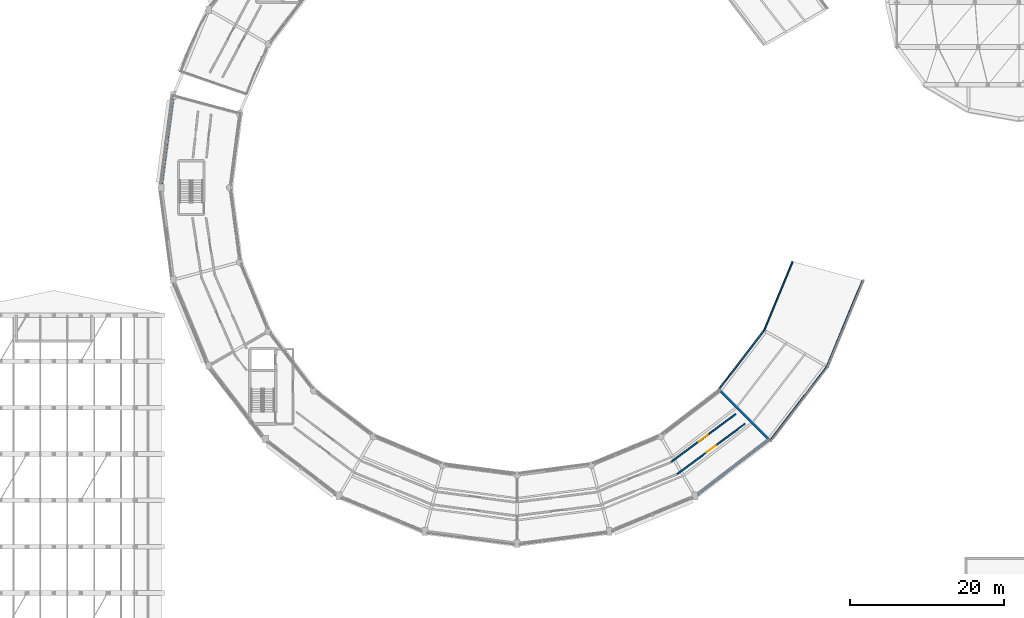
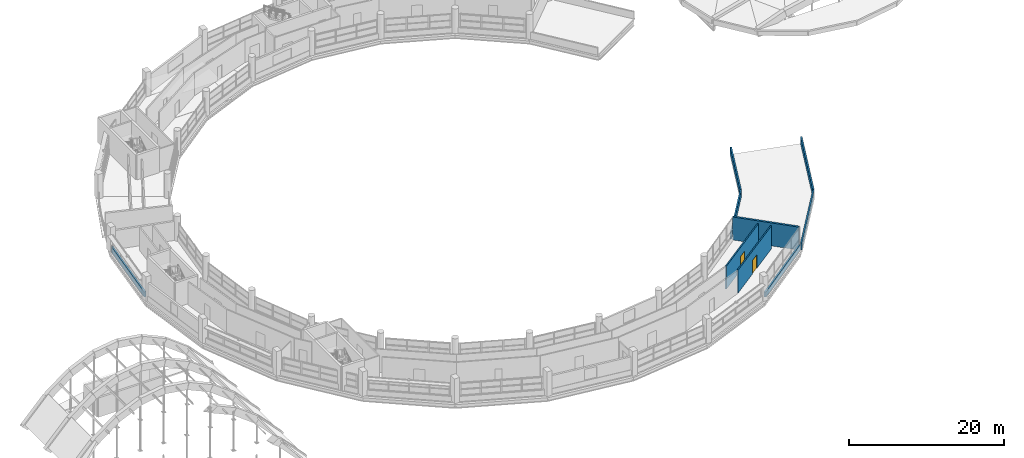
# One storey, part 76 of 88: 9 walls, 2 doors, 2 openings.
"""IFC4 building model written with IfcOpenShell, lengths in metres."""

from ifc_helpers import new_model, si_unit, direction, frame, frame_2d, origin, place, context, subcontext, project, spatial, rectangle, extrude, material, layer, layer_set, type_object, element, fill, save


model = new_model("IFC4")

# Units and contexts
model_context = context("Model", 3, precision=1e-05, world=origin(), true_north=direction((0.0, 1.0)))
body_context = subcontext(model_context, "Body", "Model", "MODEL_VIEW")
ifc_project = project(units=[si_unit("LENGTHUNIT", "METRE"), si_unit("AREAUNIT", "SQUARE_METRE"), si_unit("VOLUMEUNIT", "CUBIC_METRE"), si_unit("PLANEANGLEUNIT", "RADIAN"), si_unit("MASSUNIT", "GRAM", prefix="KILO")], contexts=[model_context])

# Site, building, storey
site_placement = place(None, origin())
site = spatial("IfcSite", under=ifc_project, at=site_placement, CompositionType="ELEMENT")
building_placement = place(site_placement, origin())
building = spatial("IfcBuilding", under=site, at=building_placement, Name="Vespera Passage Community Centre", CompositionType="ELEMENT")
storey_placement = place(building_placement, frame((0.0, 0.0, 16.5)))
storey = spatial("IfcBuildingStorey", under=building, at=storey_placement, Name="L04", CompositionType="ELEMENT", Elevation=16.5)

# Wall, opening, door
ifc_material_1 = material(Name="Gypsum board acoustic stud partition")
ifc_layer_1 = layer(ifc_material_1, 0.179931640625)
ifc_layer_set_1 = layer_set([ifc_layer_1], Name="Gypsum board acoustic stud partition")
wall_type_1 = type_object("IfcWallType", Name="WT-CORR-180I", PredefinedType="PARTITIONING", material=ifc_layer_set_1)
wall_1_placement = place(storey_placement, frame((98.766357421875, 28.4189453125, 0.0), z_axis=(0.0, 0.0, 1.0), x_axis=(0.802562330416, 0.596568274213, 0.0)))
wall_1 = element("IfcWall", 1, at=wall_1_placement, inside=storey, type_object=wall_type_1, Name="L04 Interior Partition V4-L04-CO17.1", PredefinedType="PARTITIONING", context=body_context, shape_type="SweptSolid", body=[
    extrude(rectangle(XDim=10.910888671875, YDim=0.179931640625, at=frame_2d((5.45556640625, 0.0))), origin(), (0.0, 0.0, 1.0), 3.635009765625),
])
opening_1_placement = place(wall_1_placement, frame((4.705322265625, 0.0, 0.0)))
opening_1 = element("IfcOpeningElement", 2, at=opening_1_placement, cuts=wall_1, Name="Opening DT-CORR-150", PredefinedType="OPENING", context=body_context, shape_type="SweptSolid", body=[
    extrude(rectangle(XDim=1.5, YDim=2.14990234375, at=frame_2d((0.75, 1.074951171875))), frame((0.0, 0.099853515625, 0.0), z_axis=(0.0, -1.0, 0.0), x_axis=(1.0, 0.0, 0.0)), (0.0, 0.0, 1.0), 0.199951171875),
])
ifc_material_2 = material(Name="Painted hollow-metal acoustic door", Category="steel")
door_type_1 = type_object("IfcDoorType", Name="DT-CORR-150", OperationType="NOTDEFINED", PredefinedType="DOOR", material=ifc_material_2)
door_1_placement = place(opening_1_placement, origin())
door_1 = element("IfcDoor", 3, at=door_1_placement, inside=storey, type_object=door_type_1, Name="L04 Interior Door D-294", OperationType="SINGLE_SWING_RIGHT", OverallHeight=2.14990234375, OverallWidth=1.5, PredefinedType="DOOR", context=body_context, shape_type="SweptSolid", body=[
    extrude(rectangle(XDim=1.5, YDim=2.14990234375, at=frame_2d((0.75, 1.074951171875))), frame((0.0, 0.02490234375, 0.0), z_axis=(0.0, -1.0, 0.0), x_axis=(1.0, 0.0, 0.0)), (0.0, 0.0, 1.0), 0.050048828125),
])
fill(opening_1, door_1)

wall_2_placement = place(storey_placement, frame((97.911376953125, 29.94580078125, 0.0), z_axis=(0.0, 0.0, 1.0), x_axis=(0.802552300002, 0.596581767876, 0.0)))
wall_2 = element("IfcWall", 4, at=wall_2_placement, inside=storey, type_object=wall_type_1, Name="L04 Interior Partition V4-L04-CI17.1", PredefinedType="PARTITIONING", context=body_context, shape_type="SweptSolid", body=[
    extrude(rectangle(XDim=10.461669921875, YDim=0.179931640625, at=frame_2d((5.23095703125, 0.0))), origin(), (0.0, 0.0, 1.0), 3.635009765625),
])
opening_2_placement = place(wall_2_placement, frame((4.505859375, 0.0, 0.0)))
opening_2 = element("IfcOpeningElement", 5, at=opening_2_placement, cuts=wall_2, Name="Opening DT-PLANT-145", PredefinedType="OPENING", context=body_context, shape_type="SweptSolid", body=[
    extrude(rectangle(XDim=1.449951171875, YDim=2.199951171875, at=frame_2d((0.72509765625, 1.10009765625))), frame((0.0, 0.099853515625, 0.0), z_axis=(0.0, -1.0, 0.0), x_axis=(1.0, 0.0, 0.0)), (0.0, 0.0, 1.0), 0.199951171875),
])
ifc_material_3 = material(Name="Painted hollow-metal acoustic door", Category="steel")
door_type_2 = type_object("IfcDoorType", Name="DT-PLANT-145", OperationType="NOTDEFINED", PredefinedType="DOOR", material=ifc_material_3)
door_2_placement = place(opening_2_placement, origin())
door_2 = element("IfcDoor", 6, at=door_2_placement, inside=storey, type_object=door_type_2, Name="L04 Interior Door D-295", OperationType="SINGLE_SWING_LEFT", OverallHeight=2.199951171875, OverallWidth=1.449951171875, PredefinedType="DOOR", context=body_context, shape_type="SweptSolid", body=[
    extrude(rectangle(XDim=1.449951171875, YDim=2.199951171875, at=frame_2d((0.72509765625, 1.10009765625))), frame((0.0, 0.02490234375, 0.0), z_axis=(0.0, -1.0, 0.0), x_axis=(1.0, 0.0, 0.0)), (0.0, 0.0, 1.0), 0.050048828125),
])
fill(opening_2, door_2)

# Walls
ifc_material_4 = material(Name="Precast concrete f'c 40 MPa", Category="concrete")
ifc_layer_2 = layer(ifc_material_4, 0.280029296875)
ifc_layer_set_2 = layer_set([ifc_layer_2], Name="Precast concrete f'c 40 MPa")
wall_type_2 = type_object("IfcWallType", Name="WT-EXT-280E", PredefinedType="STANDARD", material=ifc_layer_set_2)
wall_3_placement = place(storey_placement, frame((31.962646484375, 65.97509765625, 0.0), z_axis=(0.0, 0.0, 1.0), x_axis=(0.130513242145, 0.991446566197, 0.0)))
element("IfcWall", 7, at=wall_3_placement, inside=storey, type_object=wall_type_2, Name="V4 L04 Spandrel Wall O11", PredefinedType="STANDARD", context=body_context, shape_type="SweptSolid", body=[
    extrude(rectangle(XDim=11.075927734375, YDim=0.280029296875, at=frame_2d((5.5380859375, 0.0))), origin(), (0.0, 0.0, 1.0), 0.820068359375),
])
wall_4_placement = place(storey_placement, frame((110.59765625, 32.90234375, 0.0), z_axis=(0.0, 0.0, 1.0), x_axis=(-0.793347191248, -0.608769442514, 0.0)))
element("IfcWall", 8, at=wall_4_placement, inside=storey, type_object=wall_type_2, Name="V4 L04 Spandrel Wall O20", PredefinedType="STANDARD", context=body_context, shape_type="SweptSolid", body=[
    extrude(rectangle(XDim=11.5869140625, YDim=0.280029296875, at=frame_2d((5.79345703125, 0.0))), origin(), (0.0, 0.0, 1.0), 0.820068359375),
])
wall_5_placement = place(storey_placement, frame((104.304443359375, 39.195556640625, 0.0), z_axis=(0.0, 0.0, 1.0), x_axis=(0.707106781187, -0.707106781187, 0.0)))
element("IfcWall", 9, at=wall_5_placement, inside=storey, type_object=wall_type_2, Name="V4 L04 Radial End Facade Wall END", PredefinedType="STANDARD", context=body_context, shape_type="SweptSolid", body=[
    extrude(rectangle(XDim=8.89990234375, YDim=0.280029296875, at=frame_2d((4.449951171875, 0.0))), origin(), (0.0, 0.0, 1.0), 3.6298828125),
])
ifc_material_5 = material(Name="Precast concrete f'c 40 MPa", Category="concrete")
ifc_layer_3 = layer(ifc_material_5, 0.199951171875)
ifc_layer_set_3 = layer_set([ifc_layer_3], Name="Precast concrete f'c 40 MPa")
wall_type_3 = type_object("IfcWallType", Name="WT-PAR-200E", PredefinedType="PARAPET", material=ifc_layer_set_3)
wall_6_placement = place(storey_placement, frame((110.7744140625, 32.7255859375, 0.0), z_axis=(0.0, 0.0, 1.0), x_axis=(0.608767399899, 0.79334875863, 0.0)))
element("IfcWall", 10, at=wall_6_placement, inside=storey, type_object=wall_type_3, Name="V4 L04 Step Roof Outer Parapet 2.1", PredefinedType="PARAPET", context=body_context, shape_type="SweptSolid", body=[
    extrude(rectangle(XDim=12.099853515625, YDim=0.199951171875, at=frame_2d((6.0498046875, 0.0))), origin(), (0.0, 0.0, 1.0), 1.1201171875),
])
wall_7_placement = place(storey_placement, frame((104.127685546875, 39.372314453125, 0.0), z_axis=(0.0, 0.0, 1.0), x_axis=(0.608747657728, 0.793363907176, 0.0)))
element("IfcWall", 11, at=wall_7_placement, inside=storey, type_object=wall_type_3, Name="V4 L04 Step Roof Inner Parapet 2.1", PredefinedType="PARAPET", context=body_context, shape_type="SweptSolid", body=[
    extrude(rectangle(XDim=9.645751953125, YDim=0.199951171875, at=frame_2d((4.82275390625, 0.0))), origin(), (0.0, 0.0, 1.0), 1.1201171875),
])
wall_8_placement = place(storey_placement, frame((118.140380859375, 42.324951171875, 0.0), z_axis=(0.0, 0.0, 1.0), x_axis=(0.382683249912, 0.923879608086, 0.0)))
element("IfcWall", 12, at=wall_8_placement, inside=storey, type_object=wall_type_3, Name="V4 L04 Step Roof Outer Parapet 2.2", PredefinedType="PARAPET", context=body_context, shape_type="SweptSolid", body=[
    extrude(rectangle(XDim=12.099853515625, YDim=0.199951171875, at=frame_2d((6.0498046875, 0.0))), origin(), (0.0, 0.0, 1.0), 1.1201171875),
])
wall_9_placement = place(storey_placement, frame((109.99951171875, 47.02490234375, 0.0), z_axis=(0.0, 0.0, 1.0), x_axis=(0.382691567136, 0.923876162937, 0.0)))
element("IfcWall", 13, at=wall_9_placement, inside=storey, type_object=wall_type_3, Name="V4 L04 Step Roof Inner Parapet 2.2", PredefinedType="PARAPET", context=body_context, shape_type="SweptSolid", body=[
    extrude(rectangle(XDim=9.64599609375, YDim=0.199951171875, at=frame_2d((4.822998046875, 0.0))), origin(), (0.0, 0.0, 1.0), 1.1201171875),
])

save(model, "model.ifc")
